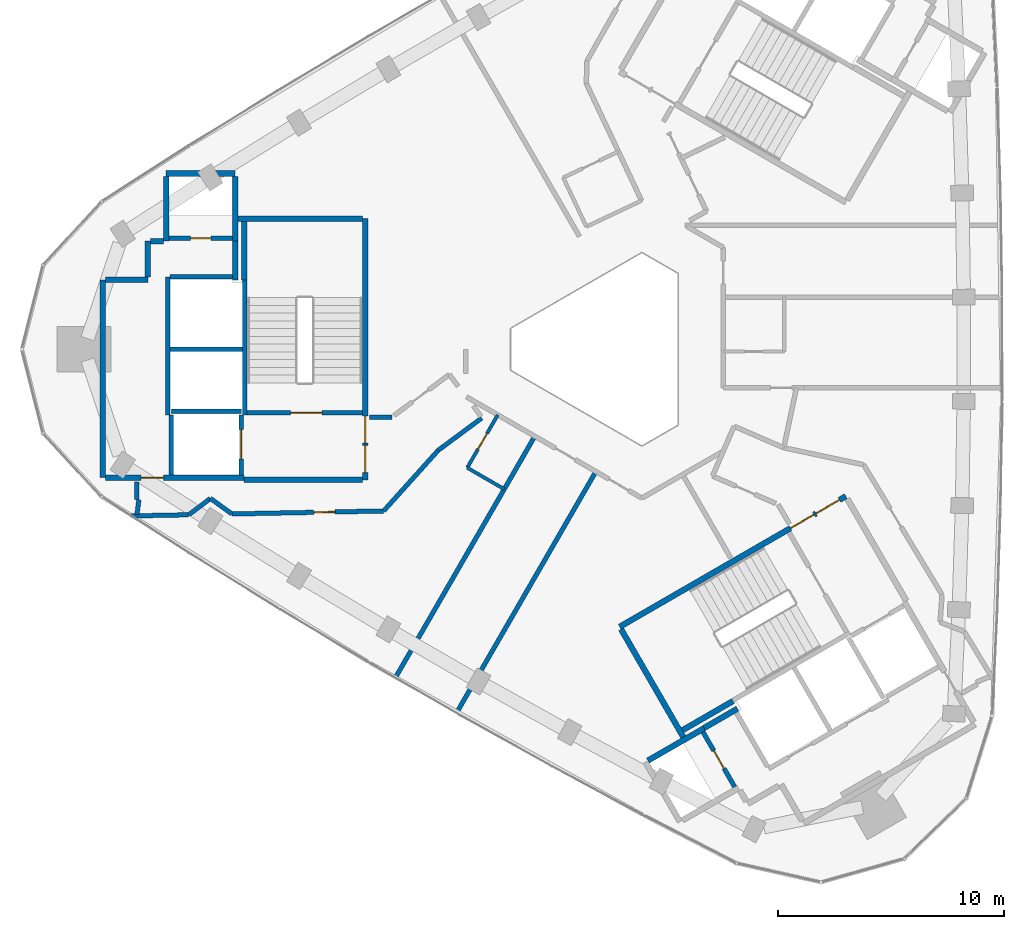
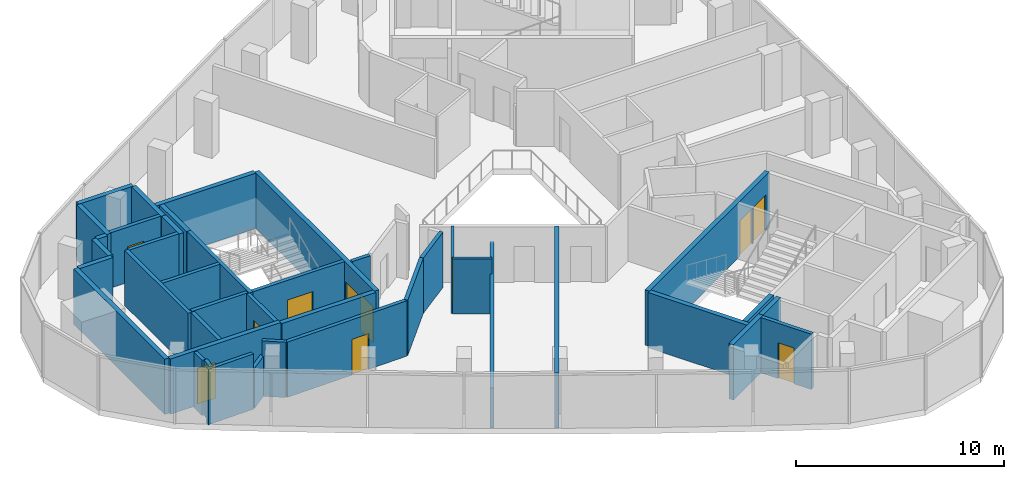
# One storey, part 6 of 10: 41 walls, 11 doors, 11 openings.
"""IFC4 building model written with IfcOpenShell, lengths in metres."""

import ifcopenshell
import ifcopenshell.guid

model = None  # the IFC model being written
_history = None  # IfcOwnerHistory: only IFC2X3 demands one
_inside = {}  # id of a spatial element -> (the spatial element, [elements in it])
_under = {}  # id of a project, library or spatial element -> (it, [spatial elements below it])
_declared = {}  # id of a project -> (the project, [libraries it declares])
_typed = {}  # id of a type object -> (the type object, [elements of that type])
_made_of = {}  # id of a material, layer set ... -> (it, [elements and type objects made of it])


def new_model(schema):
    """Start an empty IFC model of exactly this schema.

    Asked for "IFC4X3", IfcOpenShell would pick the latest addendum, in which some entities
    have other attributes; the version numbers below select the first issue.
    IFC2X3 requires an IfcOwnerHistory on every rooted entity: one is made here for all.
    """
    global model, _history
    if schema == "IFC4X3":
        model = ifcopenshell.file(schema_version=(4, 3, 0, 0))
    else:
        model = ifcopenshell.file(schema=schema)
    _inside.clear()
    _under.clear()
    _declared.clear()
    _typed.clear()
    _made_of.clear()
    _history = None
    if model.schema == "IFC2X3":
        org = make("IfcOrganization", Name="unknown")
        user = make(
            "IfcPersonAndOrganization",
            ThePerson=make("IfcPerson", FamilyName="unknown"),
            TheOrganization=org,
        )
        app = make(
            "IfcApplication",
            ApplicationDeveloper=org,
            Version="unknown",
            ApplicationFullName="unknown",
            ApplicationIdentifier="unknown",
        )
        _history = make(
            "IfcOwnerHistory",
            OwningUser=user,
            OwningApplication=app,
            ChangeAction="ADDED",
            CreationDate=0,
        )
    return model


def make(cls, **values):
    """One entity of the class cls with the attributes given. An attribute that is None is left unset."""
    return model.create_entity(
        cls, **{name: value for name, value in values.items() if value is not None}
    )


def rooted(cls, **values):
    """An entity with a GlobalId (a new one), such as an element, a storey or a relation."""
    return make(cls, GlobalId=ifcopenshell.guid.new(), OwnerHistory=_history, **values)


def si_unit(unit_type, name, prefix=None):
    """IfcSIUnit, for example si_unit("LENGTHUNIT", "METRE", prefix="MILLI")."""
    return make("IfcSIUnit", UnitType=unit_type, Prefix=prefix, Name=name)


def assignment(units):
    """IfcUnitAssignment: the units of a project."""
    return None if units is None else make("IfcUnitAssignment", Units=units)


def point(xyz):
    """IfcCartesianPoint."""
    return None if xyz is None else make("IfcCartesianPoint", Coordinates=xyz)


def direction(xyz):
    """IfcDirection."""
    return None if xyz is None else make("IfcDirection", DirectionRatios=xyz)


def frame(location, z_axis=None, x_axis=None):
    """IfcAxis2Placement3D, a coordinate frame: its origin and axes. An axis left out is left unset."""
    return make(
        "IfcAxis2Placement3D",
        Location=point(location),
        Axis=direction(z_axis),
        RefDirection=direction(x_axis),
    )


def frame_2d(location, x_axis=None):
    """IfcAxis2Placement2D, a coordinate frame in the plane: its origin and x axis."""
    return make(
        "IfcAxis2Placement2D", Location=point(location), RefDirection=direction(x_axis)
    )


def origin():
    """The frame at (0, 0, 0) with its axes left unset."""
    return frame((0.0, 0.0, 0.0))


def place(relative_to, where):
    """IfcLocalPlacement: puts the frame where relative to a parent placement (None: the world)."""
    return make(
        "IfcLocalPlacement", PlacementRelTo=relative_to, RelativePlacement=where
    )


def context(
    kind, dimensions, precision=None, world=None, true_north=None, identifier=None
):
    """IfcGeometricRepresentationContext, for example the 3D "Model" context."""
    return make(
        "IfcGeometricRepresentationContext",
        ContextIdentifier=identifier,
        ContextType=kind,
        CoordinateSpaceDimension=dimensions,
        Precision=precision,
        WorldCoordinateSystem=world,
        TrueNorth=true_north,
    )


def subcontext(parent, identifier, kind, view, scale=None):
    """IfcGeometricRepresentationSubContext, for example "Body" below "Model"."""
    return make(
        "IfcGeometricRepresentationSubContext",
        ContextIdentifier=identifier,
        ContextType=kind,
        ParentContext=parent,
        TargetScale=scale,
        TargetView=view,
    )


def project(units=None, contexts=None):
    """IfcProject with its units and contexts."""
    return rooted(
        "IfcProject",
        Name="project",
        RepresentationContexts=contexts,
        UnitsInContext=assignment(units),
    )


def spatial(cls, under=None, at=None, **own):
    """A site, building, storey or space (cls), placed at a placement, below another one or the project."""
    s = rooted(cls, ObjectPlacement=at, **own)
    if under is not None:
        _under.setdefault(under.id(), (under, []))[1].append(s)
    return s


def profile(cls, at=None, kind="AREA", **sizes):
    """A parametric profile (cls). Its sizes go by their IFC names, for example OverallWidth=200.0."""
    return make(cls, ProfileType=kind, Position=at, **sizes)


def rectangle(**sizes):
    """IfcRectangleProfileDef."""
    return profile("IfcRectangleProfileDef", **sizes)


def extrude(swept, where, along, depth):
    """IfcExtrudedAreaSolid: the profile swept, set in the frame where, extruded along a direction by depth."""
    return make(
        "IfcExtrudedAreaSolid",
        SweptArea=swept,
        Position=where,
        ExtrudedDirection=direction(along),
        Depth=depth,
    )


def shape(context_of_items, identifier, shape_type, items):
    """IfcShapeRepresentation: the items that make up one representation, for example the "Body"."""
    return make(
        "IfcShapeRepresentation",
        ContextOfItems=context_of_items,
        RepresentationIdentifier=identifier,
        RepresentationType=shape_type,
        Items=items,
    )


def material(Name=None, Category=None):
    """IfcMaterial."""
    return make("IfcMaterial", Name=Name, Category=Category)


def layer(
    of_material, thickness, ventilated=None, Name=None, Category=None, Priority=None
):
    """IfcMaterialLayer: one layer of a wall or slab, of a material (None: an air gap)."""
    return make(
        "IfcMaterialLayer",
        Material=of_material,
        LayerThickness=thickness,
        IsVentilated=ventilated,
        Name=Name,
        Category=Category,
        Priority=Priority,
    )


def layer_set(layers, Name=None):
    """IfcMaterialLayerSet."""
    return make("IfcMaterialLayerSet", MaterialLayers=layers, LayerSetName=Name)


def made_of(thing, what):
    """Note that an element or type object is made of a material, layer set ...; save() writes the relation."""
    if what is not None:
        _made_of.setdefault(what.id(), (what, []))[1].append(thing)
    return thing


def type_object(cls, material=None, **own):
    """A type object (cls), such as IfcWallType, which elements share."""
    return made_of(rooted(cls, **own), material)


def element(
    cls,
    number,
    at=None,
    inside=None,
    cuts=None,
    type_object=None,
    material=None,
    context=None,
    identifier="Body",
    shape_type=None,
    held_by="IfcProductDefinitionShape",
    body=None,
    shapes=None,
    **own,
):
    """One element of the class cls, such as IfcWall. Its Tag is "e" and its number.

    at: its placement. inside: the storey or other place that contains it. cuts: it is an
    opening in that element (IfcRelVoidsElement). A single representation is given by context,
    identifier, shape_type and body (its items); several are given by shapes. held_by: the class
    of the entity that holds the representations. save() writes the other relations.
    """
    e = rooted(cls, Tag="e%d" % number, ObjectPlacement=at, **own)
    if body is not None:
        shapes = [shape(context, identifier, shape_type, body)]
    if shapes is not None:
        e.Representation = make(held_by, Representations=shapes)
    if inside is not None:
        _inside.setdefault(inside.id(), (inside, []))[1].append(e)
    if cuts is not None:
        rooted(
            "IfcRelVoidsElement", RelatingBuildingElement=cuts, RelatedOpeningElement=e
        )
    if type_object is not None:
        _typed.setdefault(type_object.id(), (type_object, []))[1].append(e)
    return made_of(e, material)


def fill(opening, filler):
    """IfcRelFillsElement: the door or window that sits in an opening."""
    return rooted(
        "IfcRelFillsElement",
        RelatingOpeningElement=opening,
        RelatedBuildingElement=filler,
    )


def aggregate(whole, parts):
    """IfcRelAggregates: a whole, such as a stair, and the parts it consists of."""
    return rooted("IfcRelAggregates", RelatingObject=whole, RelatedObjects=parts)


def save(model, path):
    """Write the relations noted so far, then the file.

    IfcRelAggregates (storeys below a building ...), IfcRelContainedInSpatialStructure (elements
    in a storey), IfcRelDefinesByType, IfcRelAssociatesMaterial and IfcRelDeclares: one each for
    every whole, place, type object, material and project.
    """
    for whole, parts in _under.values():
        aggregate(whole, parts)
    for where, things in _inside.values():
        rooted(
            "IfcRelContainedInSpatialStructure",
            RelatedElements=things,
            RelatingStructure=where,
        )
    for kind, things in _typed.values():
        rooted("IfcRelDefinesByType", RelatedObjects=things, RelatingType=kind)
    for what, things in _made_of.values():
        rooted("IfcRelAssociatesMaterial", RelatedObjects=things, RelatingMaterial=what)
    for by, libraries in _declared.values():
        rooted("IfcRelDeclares", RelatingContext=by, RelatedDefinitions=libraries)
    model.write(path)


model = new_model("IFC4")

# Units and contexts
model_context = context("Model", 3, precision=1e-05, world=origin(), true_north=direction((0.0, 1.0)))
body_context = subcontext(model_context, "Body", "Model", "MODEL_VIEW")
ifc_project = project(units=[si_unit("LENGTHUNIT", "METRE"), si_unit("AREAUNIT", "SQUARE_METRE"), si_unit("VOLUMEUNIT", "CUBIC_METRE"), si_unit("PLANEANGLEUNIT", "RADIAN"), si_unit("MASSUNIT", "GRAM", prefix="KILO")], contexts=[model_context])

# Site, building, storey
site_placement = place(None, origin())
site = spatial("IfcSite", under=ifc_project, at=site_placement, CompositionType="ELEMENT")
building_placement = place(site_placement, origin())
building = spatial("IfcBuilding", under=site, at=building_placement, Name="Tamra Quay Hotel Tower", CompositionType="ELEMENT")
storey_placement = place(building_placement, frame((0.0, 0.0, 265.800048828125)))
storey = spatial("IfcBuildingStorey", under=building, at=storey_placement, Name="L67", CompositionType="ELEMENT", Elevation=265.800048828125)

# Walls
ifc_material_1 = material(Name="Concrete M70", Category="concrete")
ifc_layer_1 = layer(ifc_material_1, 0.199951171875)
ifc_layer_set_1 = layer_set([ifc_layer_1], Name="Concrete M70 core wall 200")
wall_type_1 = type_object("IfcWallType", Name="Concrete M70 core wall 200", PredefinedType="SHEAR", material=ifc_layer_set_1)
wall_1_placement = place(storey_placement, frame((-16.162109375, 3.073974609375, 0.0), z_axis=(0.0, 0.0, 1.0), x_axis=(0.0, -1.0, 0.0)))
element("IfcWall", 1, at=wall_1_placement, inside=storey, type_object=wall_type_1, Name="CW2", PredefinedType="SHEAR", context=body_context, shape_type="SweptSolid", body=[
    extrude(rectangle(XDim=5.97412109375, YDim=0.199951171875, at=frame_2d((2.987060546875, 0.0))), origin(), (0.0, 0.0, 1.0), 3.25),
])
wall_2_placement = place(storey_placement, frame((-19.5625, -2.900146484375, 0.0), z_axis=(0.0, 0.0, 1.0), x_axis=(0.0, 1.0, 0.0)))
element("IfcWall", 2, at=wall_2_placement, inside=storey, type_object=wall_type_1, Name="CW2", PredefinedType="SHEAR", context=body_context, shape_type="SweptSolid", body=[
    extrude(rectangle(XDim=6.100341796875, YDim=0.199951171875, at=frame_2d((3.05029296875, 0.0))), origin(), (0.0, 0.0, 1.0), 3.25),
])

# Wall, opening, door
wall_3_placement = place(storey_placement, frame((-10.96337890625, -2.800048828125, 0.0), z_axis=(0.0, 0.0, 1.0), x_axis=(-1.0, 0.0, 0.0)))
wall_3 = element("IfcWall", 3, at=wall_3_placement, inside=storey, type_object=wall_type_1, Name="CW2", PredefinedType="SHEAR", context=body_context, shape_type="SweptSolid", body=[
    extrude(rectangle(XDim=5.097900390625, YDim=0.199951171875, at=frame_2d((2.548828125, 0.0))), origin(), (0.0, 0.0, 1.0), 3.25),
])
opening_1_placement = place(wall_3_placement, frame((1.77392578125, 0.0, 0.0)))
opening_1 = element("IfcOpeningElement", 4, at=opening_1_placement, cuts=wall_3, Name="Opening FD2", PredefinedType="OPENING", context=body_context, shape_type="SweptSolid", body=[
    extrude(rectangle(XDim=1.39990234375, YDim=2.10009765625, at=frame_2d((0.699951171875, 1.050048828125))), frame((0.0, 0.10986328125, 0.0), z_axis=(0.0, -1.0, 0.0), x_axis=(1.0, 0.0, 0.0)), (0.0, 0.0, 1.0), 0.219970703125),
])
ifc_material_2 = material(Name="Core door FD2 1400x2100 RH")
door_type_1 = type_object("IfcDoorType", Name="Core door FD2 1400x2100 RH", OperationType="NOTDEFINED", PredefinedType="DOOR", material=ifc_material_2)
door_1_placement = place(opening_1_placement, origin())
door_1 = element("IfcDoor", 5, at=door_1_placement, inside=storey, type_object=door_type_1, Name="FD2", OperationType="SINGLE_SWING_RIGHT", OverallHeight=2.10009765625, OverallWidth=1.39990234375, PredefinedType="DOOR", context=body_context, shape_type="SweptSolid", body=[
    extrude(rectangle(XDim=1.39990234375, YDim=2.10009765625, at=frame_2d((0.699951171875, 1.050048828125))), frame((0.0, 0.02490234375, 0.0), z_axis=(0.0, -1.0, 0.0), x_axis=(1.0, 0.0, 0.0)), (0.0, 0.0, 1.0), 0.050048828125),
])
fill(opening_1, door_1)

# Wall
wall_4_placement = place(storey_placement, frame((-16.26318359375, 0.0, 0.0), z_axis=(0.0, 0.0, 1.0), x_axis=(-1.0, 0.0, 0.0)))
element("IfcWall", 6, at=wall_4_placement, inside=storey, type_object=wall_type_1, Name="CW2", PredefinedType="SHEAR", context=body_context, shape_type="SweptSolid", body=[
    extrude(rectangle(XDim=3.1982421875, YDim=0.199951171875, at=frame_2d((1.59912109375, 0.0))), origin(), (0.0, 0.0, 1.0), 3.25),
])

# Wall, opening, door
wall_5_placement = place(storey_placement, frame((-19.51123046875, 4.91015625, 0.0), z_axis=(0.0, 0.0, 1.0), x_axis=(1.0, 0.0, 0.0)))
wall_5 = element("IfcWall", 7, at=wall_5_placement, inside=storey, type_object=wall_type_1, Name="CW2", PredefinedType="SHEAR", context=body_context, shape_type="SweptSolid", body=[
    extrude(rectangle(XDim=2.7978515625, YDim=0.199951171875, at=frame_2d((1.39892578125, 0.0))), origin(), (0.0, 0.0, 1.0), 3.25),
])
opening_2_placement = place(wall_5_placement, frame((0.948974609375, 0.0, 0.0)))
opening_2 = element("IfcOpeningElement", 8, at=opening_2_placement, cuts=wall_5, Name="Opening D1", PredefinedType="OPENING", context=body_context, shape_type="SweptSolid", body=[
    extrude(rectangle(XDim=0.89990234375, YDim=2.10009765625, at=frame_2d((0.449951171875, 1.050048828125))), frame((0.0, 0.10986328125, 0.0), z_axis=(0.0, -1.0, 0.0), x_axis=(1.0, 0.0, 0.0)), (0.0, 0.0, 1.0), 0.219970703125),
])
ifc_material_3 = material(Name="Core door D1 900x2100 LH")
door_type_2 = type_object("IfcDoorType", Name="Core door D1 900x2100 LH", OperationType="NOTDEFINED", PredefinedType="DOOR", material=ifc_material_3)
door_2_placement = place(opening_2_placement, origin())
door_2 = element("IfcDoor", 9, at=door_2_placement, inside=storey, type_object=door_type_2, Name="D1", OperationType="SINGLE_SWING_LEFT", OverallHeight=2.10009765625, OverallWidth=0.89990234375, PredefinedType="DOOR", context=body_context, shape_type="SweptSolid", body=[
    extrude(rectangle(XDim=0.89990234375, YDim=2.10009765625, at=frame_2d((0.449951171875, 1.050048828125))), frame((0.0, 0.02490234375, 0.0), z_axis=(0.0, -1.0, 0.0), x_axis=(1.0, 0.0, 0.0)), (0.0, 0.0, 1.0), 0.050048828125),
])
fill(opening_2, door_2)

# Walls
wall_6_placement = place(storey_placement, frame((-19.46240234375, 3.2001953125, 0.0), z_axis=(0.0, 0.0, 1.0), x_axis=(1.0, 0.0, 0.0)))
element("IfcWall", 10, at=wall_6_placement, inside=storey, type_object=wall_type_1, Name="CW2", PredefinedType="SHEAR", context=body_context, shape_type="SweptSolid", body=[
    extrude(rectangle(XDim=2.759033203125, YDim=0.199951171875, at=frame_2d((1.37939453125, 0.0))), origin(), (0.0, 0.0, 1.0), 3.25),
])
wall_7_placement = place(storey_placement, frame((-19.412353515625, -2.75, 0.0), z_axis=(0.0, 0.0, 1.0), x_axis=(1.0, 0.0, 0.0)))
element("IfcWall", 11, at=wall_7_placement, inside=storey, type_object=wall_type_1, Name="CW2", PredefinedType="SHEAR", context=body_context, shape_type="SweptSolid", body=[
    extrude(rectangle(XDim=3.10009765625, YDim=0.199951171875, at=frame_2d((1.550048828125, 0.0))), origin(), (0.0, 0.0, 1.0), 3.25),
])

# Wall, opening, door
wall_8_placement = place(storey_placement, frame((-16.312255859375, -2.898193359375, 0.0), z_axis=(0.0, 0.0, 1.0), x_axis=(0.0, -1.0, 0.0)))
wall_8 = element("IfcWall", 12, at=wall_8_placement, inside=storey, type_object=wall_type_1, Name="CW2", PredefinedType="SHEAR", context=body_context, shape_type="SweptSolid", body=[
    extrude(rectangle(XDim=2.65087890625, YDim=0.199951171875, at=frame_2d((1.325439453125, 0.0))), origin(), (0.0, 0.0, 1.0), 3.25),
])
opening_3_placement = place(wall_8_placement, frame((0.65185546875, 0.0, 0.0)))
opening_3 = element("IfcOpeningElement", 13, at=opening_3_placement, cuts=wall_8, Name="Opening LD", PredefinedType="OPENING", context=body_context, shape_type="SweptSolid", body=[
    extrude(rectangle(XDim=1.300048828125, YDim=2.10009765625, at=frame_2d((0.64990234375, 1.050048828125))), frame((0.0, 0.10986328125, 0.0), z_axis=(0.0, -1.0, 0.0), x_axis=(1.0, 0.0, 0.0)), (0.0, 0.0, 1.0), 0.219970703125),
])
ifc_material_4 = material(Name="Landing door LD 1300 sliding to right")
door_type_3 = type_object("IfcDoorType", Name="Landing door LD 1300 sliding to right", OperationType="NOTDEFINED", PredefinedType="DOOR", material=ifc_material_4)
door_3_placement = place(opening_3_placement, origin())
door_3 = element("IfcDoor", 14, at=door_3_placement, inside=storey, type_object=door_type_3, Name="LD", OperationType="SLIDING_TO_RIGHT", OverallHeight=2.10009765625, OverallWidth=1.300048828125, PredefinedType="DOOR", context=body_context, shape_type="SweptSolid", body=[
    extrude(rectangle(XDim=1.300048828125, YDim=2.10009765625, at=frame_2d((0.64990234375, 1.050048828125))), frame((0.0, 0.02490234375, 0.0), z_axis=(0.0, -1.0, 0.0), x_axis=(1.0, 0.0, 0.0)), (0.0, 0.0, 1.0), 0.050048828125),
])
fill(opening_3, door_3)

# Wall
wall_9_placement = place(storey_placement, frame((-19.412353515625, -5.549072265625, 0.0), z_axis=(0.0, 0.0, 1.0), x_axis=(0.0, 1.0, 0.0)))
element("IfcWall", 15, at=wall_9_placement, inside=storey, type_object=wall_type_1, Name="CW2", PredefinedType="SHEAR", context=body_context, shape_type="SweptSolid", body=[
    extrude(rectangle(XDim=2.65087890625, YDim=0.199951171875, at=frame_2d((1.325439453125, 0.0))), origin(), (0.0, 0.0, 1.0), 3.25),
])

# Wall, opening, door
wall_10_placement = place(storey_placement, frame((5.50341796875, -19.352294921875, 0.0), z_axis=(0.0, 0.0, 1.0), x_axis=(-0.499986818241, 0.866033014143, 0.0)))
wall_10 = element("IfcWall", 16, at=wall_10_placement, inside=storey, type_object=wall_type_1, Name="CW2", PredefinedType="SHEAR", context=body_context, shape_type="SweptSolid", body=[
    extrude(rectangle(XDim=2.7978515625, YDim=0.199951171875, at=frame_2d((1.39892578125, 0.0))), origin(), (0.0, 0.0, 1.0), 3.25),
])
opening_4_placement = place(wall_10_placement, frame((0.948974609375, 0.0, 0.0)))
opening_4 = element("IfcOpeningElement", 17, at=opening_4_placement, cuts=wall_10, Name="Opening D1", PredefinedType="OPENING", context=body_context, shape_type="SweptSolid", body=[
    extrude(rectangle(XDim=0.89990234375, YDim=2.10009765625, at=frame_2d((0.449951171875, 1.050048828125))), frame((0.0, 0.10986328125, 0.0), z_axis=(0.0, -1.0, 0.0), x_axis=(1.0, 0.0, 0.0)), (0.0, 0.0, 1.0), 0.219970703125),
])
ifc_material_5 = material(Name="Core door D1 900x2100 RH")
door_type_4 = type_object("IfcDoorType", Name="Core door D1 900x2100 RH", OperationType="NOTDEFINED", PredefinedType="DOOR", material=ifc_material_5)
door_4_placement = place(opening_4_placement, origin())
door_4 = element("IfcDoor", 18, at=door_4_placement, inside=storey, type_object=door_type_4, Name="D1", OperationType="SINGLE_SWING_RIGHT", OverallHeight=2.10009765625, OverallWidth=0.89990234375, PredefinedType="DOOR", context=body_context, shape_type="SweptSolid", body=[
    extrude(rectangle(XDim=0.89990234375, YDim=2.10009765625, at=frame_2d((0.449951171875, 1.050048828125))), frame((0.0, 0.02490234375, 0.0), z_axis=(0.0, -1.0, 0.0), x_axis=(1.0, 0.0, 0.0)), (0.0, 0.0, 1.0), 0.050048828125),
])
fill(opening_4, door_4)

# Wall, openings, doors
ifc_layer_2 = layer(ifc_material_1, 0.25)
ifc_layer_set_2 = layer_set([ifc_layer_2], Name="Concrete M70 core wall 250")
wall_type_2 = type_object("IfcWallType", Name="Concrete M70 core wall 250", PredefinedType="SHEAR", material=ifc_layer_set_2)
wall_11_placement = place(storey_placement, frame((-10.83740234375, 5.77490234375, 0.0), z_axis=(0.0, 0.0, 1.0), x_axis=(0.0, -1.0, 0.0)))
wall_11 = element("IfcWall", 19, at=wall_11_placement, inside=storey, type_object=wall_type_2, Name="CW1", PredefinedType="SHEAR", context=body_context, shape_type="SweptSolid", body=[
    extrude(rectangle(XDim=11.5498046875, YDim=0.25, at=frame_2d((5.77490234375, 0.0))), origin(), (0.0, 0.0, 1.0), 3.25),
])
opening_5_placement = place(wall_11_placement, frame((10.02490234375, 0.0, 0.0)))
opening_5 = element("IfcOpeningElement", 20, at=opening_5_placement, cuts=wall_11, Name="Opening FD1", PredefinedType="OPENING", context=body_context, shape_type="SweptSolid", body=[
    extrude(rectangle(XDim=1.199951171875, YDim=2.10009765625, at=frame_2d((0.60009765625, 1.050048828125))), frame((0.0, 0.135009765625, 0.0), z_axis=(0.0, -1.0, 0.0), x_axis=(1.0, 0.0, 0.0)), (0.0, 0.0, 1.0), 0.27001953125),
])
opening_6_placement = place(wall_11_placement, frame((8.72509765625, 0.0, 0.0)))
opening_6 = element("IfcOpeningElement", 21, at=opening_6_placement, cuts=wall_11, Name="Opening FD1", PredefinedType="OPENING", context=body_context, shape_type="SweptSolid", body=[
    extrude(rectangle(XDim=1.199951171875, YDim=2.10009765625, at=frame_2d((0.60009765625, 1.050048828125))), frame((0.0, 0.135009765625, 0.0), z_axis=(0.0, -1.0, 0.0), x_axis=(1.0, 0.0, 0.0)), (0.0, 0.0, 1.0), 0.27001953125),
])
ifc_material_6 = material(Name="Core door FD1 1200x2100 LH")
door_type_5 = type_object("IfcDoorType", Name="Core door FD1 1200x2100 LH", OperationType="NOTDEFINED", PredefinedType="DOOR", material=ifc_material_6)
door_5_placement = place(opening_5_placement, origin())
door_5 = element("IfcDoor", 22, at=door_5_placement, inside=storey, type_object=door_type_5, Name="FD1", OperationType="SINGLE_SWING_LEFT", OverallHeight=2.10009765625, OverallWidth=1.199951171875, PredefinedType="DOOR", context=body_context, shape_type="SweptSolid", body=[
    extrude(rectangle(XDim=1.199951171875, YDim=2.10009765625, at=frame_2d((0.60009765625, 1.050048828125))), frame((0.0, 0.02490234375, 0.0), z_axis=(0.0, -1.0, 0.0), x_axis=(1.0, 0.0, 0.0)), (0.0, 0.0, 1.0), 0.050048828125),
])
fill(opening_5, door_5)
ifc_material_7 = material(Name="Core door FD1 1200x2100 RH")
door_type_6 = type_object("IfcDoorType", Name="Core door FD1 1200x2100 RH", OperationType="NOTDEFINED", PredefinedType="DOOR", material=ifc_material_7)
door_6_placement = place(opening_6_placement, origin())
door_6 = element("IfcDoor", 23, at=door_6_placement, inside=storey, type_object=door_type_6, Name="FD1", OperationType="SINGLE_SWING_RIGHT", OverallHeight=2.10009765625, OverallWidth=1.199951171875, PredefinedType="DOOR", context=body_context, shape_type="SweptSolid", body=[
    extrude(rectangle(XDim=1.199951171875, YDim=2.10009765625, at=frame_2d((0.60009765625, 1.050048828125))), frame((0.0, 0.02490234375, 0.0), z_axis=(0.0, -1.0, 0.0), x_axis=(1.0, 0.0, 0.0)), (0.0, 0.0, 1.0), 0.050048828125),
])
fill(opening_6, door_6)

# Wall
wall_12_placement = place(storey_placement, frame((-22.437255859375, -5.675048828125, 0.0), z_axis=(0.0, 0.0, 1.0), x_axis=(0.0, 1.0, 0.0)))
element("IfcWall", 24, at=wall_12_placement, inside=storey, type_object=wall_type_2, Name="CW1", PredefinedType="SHEAR", context=body_context, shape_type="SweptSolid", body=[
    extrude(rectangle(XDim=8.75, YDim=0.25, at=frame_2d((4.375, 0.0))), origin(), (0.0, 0.0, 1.0), 3.25),
])

# Wall, opening, door
wall_13_placement = place(storey_placement, frame((-16.187255859375, -5.675048828125, 0.0), z_axis=(0.0, 0.0, 1.0), x_axis=(-1.0, 0.0, 0.0)))
wall_13 = element("IfcWall", 25, at=wall_13_placement, inside=storey, type_object=wall_type_2, Name="CW1", PredefinedType="SHEAR", context=body_context, shape_type="SweptSolid", body=[
    extrude(rectangle(XDim=6.12451171875, YDim=0.25, at=frame_2d((3.062255859375, 0.0))), origin(), (0.0, 0.0, 1.0), 3.25),
])
opening_7_placement = place(wall_13_placement, frame((3.562744140625, 0.0, 0.0)))
opening_7 = element("IfcOpeningElement", 26, at=opening_7_placement, cuts=wall_13, Name="Opening FD3", PredefinedType="OPENING", context=body_context, shape_type="SweptSolid", body=[
    extrude(rectangle(XDim=1.0, YDim=2.10009765625, at=frame_2d((0.5, 1.050048828125))), frame((0.0, 0.135009765625, 0.0), z_axis=(0.0, -1.0, 0.0), x_axis=(1.0, 0.0, 0.0)), (0.0, 0.0, 1.0), 0.27001953125),
])
ifc_material_8 = material(Name="Core door FD3 1000x2100 LH")
door_type_7 = type_object("IfcDoorType", Name="Core door FD3 1000x2100 LH", OperationType="NOTDEFINED", PredefinedType="DOOR", material=ifc_material_8)
door_7_placement = place(opening_7_placement, origin())
door_7 = element("IfcDoor", 27, at=door_7_placement, inside=storey, type_object=door_type_7, Name="FD3", OperationType="SINGLE_SWING_LEFT", OverallHeight=2.10009765625, OverallWidth=1.0, PredefinedType="DOOR", context=body_context, shape_type="SweptSolid", body=[
    extrude(rectangle(XDim=1.0, YDim=2.10009765625, at=frame_2d((0.5, 1.050048828125))), frame((0.0, 0.02490234375, 0.0), z_axis=(0.0, -1.0, 0.0), x_axis=(1.0, 0.0, 0.0)), (0.0, 0.0, 1.0), 0.050048828125),
])
fill(opening_7, door_7)

# Walls
wall_14_placement = place(storey_placement, frame((-10.962646484375, -5.77490234375, 0.0), z_axis=(0.0, 0.0, 1.0), x_axis=(-1.0, 0.0, 0.0)))
element("IfcWall", 28, at=wall_14_placement, inside=storey, type_object=wall_type_2, Name="CW1", PredefinedType="SHEAR", context=body_context, shape_type="SweptSolid", body=[
    extrude(rectangle(XDim=5.224609375, YDim=0.25, at=frame_2d((2.6123046875, 0.0))), origin(), (0.0, 0.0, 1.0), 3.25),
])
wall_15_placement = place(storey_placement, frame((-16.47216796875, 5.77490234375, 0.0), z_axis=(0.0, 0.0, 1.0), x_axis=(1.0, 0.0, 0.0)))
element("IfcWall", 29, at=wall_15_placement, inside=storey, type_object=wall_type_2, Name="CW1", PredefinedType="SHEAR", context=body_context, shape_type="SweptSolid", body=[
    extrude(rectangle(XDim=5.509521484375, YDim=0.25, at=frame_2d((2.7548828125, 0.0))), origin(), (0.0, 0.0, 1.0), 3.25),
])
wall_16_placement = place(storey_placement, frame((-19.63720703125, 7.77490234375, 0.0), z_axis=(0.0, 0.0, 1.0), x_axis=(1.0, 0.0, 0.0)))
element("IfcWall", 30, at=wall_16_placement, inside=storey, type_object=wall_type_2, Name="CW1", PredefinedType="SHEAR", context=body_context, shape_type="SweptSolid", body=[
    extrude(rectangle(XDim=3.0498046875, YDim=0.25, at=frame_2d((1.52490234375, 0.0))), origin(), (0.0, 0.0, 1.0), 3.25),
])
for number, where, z_axis, x_axis, name in (
    (31, (-16.58740234375, 7.649658203125, 0.0), (0.0, 0.0, 1.0), (0.0, -1.0, 0.0), "CW1"),
    (32, (-19.63720703125, 4.784912109375, 0.0), (0.0, 0.0, 1.0), (0.0, 1.0, 0.0), "CW1"),
):
    element("IfcWall", number, at=place(storey_placement, frame(where, z_axis=z_axis, x_axis=x_axis)), inside=storey, type_object=wall_type_2, Name=name, PredefinedType="SHEAR", context=body_context, shape_type="SweptSolid", body=[
        extrude(rectangle(XDim=2.86474609375, YDim=0.25, at=frame_2d((1.432373046875, 0.0))), origin(), (0.0, 0.0, 1.0), 3.25),
    ])
wall_17_placement = place(storey_placement, frame((-16.187255859375, 3.074951171875, 0.0), z_axis=(0.0, 0.0, 1.0), x_axis=(0.0, 1.0, 0.0)))
element("IfcWall", 33, at=wall_17_placement, inside=storey, type_object=wall_type_2, Name="CW1", PredefinedType="SHEAR", context=body_context, shape_type="SweptSolid", body=[
    extrude(rectangle(XDim=2.57470703125, YDim=0.25, at=frame_2d((1.287353515625, 0.0))), origin(), (0.0, 0.0, 1.0), 3.25),
])
wall_18_placement = place(storey_placement, frame((-22.311767578125, 3.074951171875, 0.0), z_axis=(0.0, 0.0, 1.0), x_axis=(1.0, 0.0, 0.0)))
element("IfcWall", 34, at=wall_18_placement, inside=storey, type_object=wall_type_2, Name="CW1", PredefinedType="SHEAR", context=body_context, shape_type="SweptSolid", body=[
    extrude(rectangle(XDim=1.864501953125, YDim=0.25, at=frame_2d((0.93212890625, 0.0))), origin(), (0.0, 0.0, 1.0), 3.25),
])
wall_19_placement = place(storey_placement, frame((-16.577392578125, 4.784912109375, 0.0), z_axis=(0.0, 0.0, 1.0), x_axis=(0.0, -1.0, 0.0)))
element("IfcWall", 35, at=wall_19_placement, inside=storey, type_object=wall_type_2, Name="CW1", PredefinedType="SHEAR", context=body_context, shape_type="SweptSolid", body=[
    extrude(rectangle(XDim=1.7099609375, YDim=0.25, at=frame_2d((0.85498046875, 0.0))), origin(), (0.0, 0.0, 1.0), 3.25),
])
wall_20_placement = place(storey_placement, frame((-20.447265625, 3.200439453125, 0.0), z_axis=(0.0, 0.0, 1.0), x_axis=(0.0, 1.0, 0.0)))
element("IfcWall", 36, at=wall_20_placement, inside=storey, type_object=wall_type_2, Name="CW1", PredefinedType="SHEAR", context=body_context, shape_type="SweptSolid", body=[
    extrude(rectangle(XDim=1.58447265625, YDim=0.25, at=frame_2d((0.792236328125, 0.0))), origin(), (0.0, 0.0, 1.0), 3.25),
])
wall_21_placement = place(storey_placement, frame((-20.32177734375, 4.784912109375, 0.0), z_axis=(0.0, 0.0, 1.0), x_axis=(1.0, 0.0, 0.0)))
element("IfcWall", 37, at=wall_21_placement, inside=storey, type_object=wall_type_2, Name="CW1", PredefinedType="SHEAR", context=body_context, shape_type="SweptSolid", body=[
    extrude(rectangle(XDim=0.55908203125, YDim=0.25, at=frame_2d((0.279541015625, 0.0))), origin(), (0.0, 0.0, 1.0), 3.25),
])

# Wall, openings, doors
wall_22_placement = place(storey_placement, frame((0.417236328125, -12.27294921875, 0.0), z_axis=(0.0, 0.0, 1.0), x_axis=(0.866021906294, 0.500006057782, 0.0)))
wall_22 = element("IfcWall", 38, at=wall_22_placement, inside=storey, type_object=wall_type_2, Name="CW1", PredefinedType="SHEAR", context=body_context, shape_type="SweptSolid", body=[
    extrude(rectangle(XDim=11.550048828125, YDim=0.25, at=frame_2d((5.77490234375, 0.0))), origin(), (0.0, 0.0, 1.0), 3.25),
])
opening_8_placement = place(wall_22_placement, frame((10.024658203125, 0.0, 0.0)))
opening_8 = element("IfcOpeningElement", 39, at=opening_8_placement, cuts=wall_22, Name="Opening FD1", PredefinedType="OPENING", context=body_context, shape_type="SweptSolid", body=[
    extrude(rectangle(XDim=1.199951171875, YDim=2.10009765625, at=frame_2d((0.60009765625, 1.050048828125))), frame((0.0, 0.135009765625, 0.0), z_axis=(0.0, -1.0, 0.0), x_axis=(1.0, 0.0, 0.0)), (0.0, 0.0, 1.0), 0.27001953125),
])
opening_9_placement = place(wall_22_placement, frame((8.724609375, 0.0, 0.0)))
opening_9 = element("IfcOpeningElement", 40, at=opening_9_placement, cuts=wall_22, Name="Opening FD1", PredefinedType="OPENING", context=body_context, shape_type="SweptSolid", body=[
    extrude(rectangle(XDim=1.199951171875, YDim=2.10009765625, at=frame_2d((0.60009765625, 1.050048828125))), frame((0.0, 0.135009765625, 0.0), z_axis=(0.0, -1.0, 0.0), x_axis=(1.0, 0.0, 0.0)), (0.0, 0.0, 1.0), 0.27001953125),
])
door_8_placement = place(opening_8_placement, origin())
door_8 = element("IfcDoor", 41, at=door_8_placement, inside=storey, type_object=door_type_5, Name="FD1", OperationType="SINGLE_SWING_LEFT", OverallHeight=2.10009765625, OverallWidth=1.199951171875, PredefinedType="DOOR", context=body_context, shape_type="SweptSolid", body=[
    extrude(rectangle(XDim=1.199951171875, YDim=2.10009765625, at=frame_2d((0.60009765625, 1.050048828125))), frame((0.0, 0.02490234375, 0.0), z_axis=(0.0, -1.0, 0.0), x_axis=(1.0, 0.0, 0.0)), (0.0, 0.0, 1.0), 0.050048828125),
])
fill(opening_8, door_8)
door_9_placement = place(opening_9_placement, origin())
door_9 = element("IfcDoor", 42, at=door_9_placement, inside=storey, type_object=door_type_6, Name="FD1", OperationType="SINGLE_SWING_RIGHT", OverallHeight=2.10009765625, OverallWidth=1.199951171875, PredefinedType="DOOR", context=body_context, shape_type="SweptSolid", body=[
    extrude(rectangle(XDim=1.199951171875, YDim=2.10009765625, at=frame_2d((0.60009765625, 1.050048828125))), frame((0.0, 0.02490234375, 0.0), z_axis=(0.0, -1.0, 0.0), x_axis=(1.0, 0.0, 0.0)), (0.0, 0.0, 1.0), 0.050048828125),
])
fill(opening_9, door_9)

# Walls
wall_23_placement = place(storey_placement, frame((3.23486328125, -17.15283203125, 0.0), z_axis=(0.0, 0.0, 1.0), x_axis=(-0.500008851346, 0.866020293397, 0.0)))
element("IfcWall", 43, at=wall_23_placement, inside=storey, type_object=wall_type_2, Name="CW1", PredefinedType="SHEAR", context=body_context, shape_type="SweptSolid", body=[
    extrude(rectangle(XDim=5.509765625, YDim=0.25, at=frame_2d((2.7548828125, 0.0))), origin(), (0.0, 0.0, 1.0), 3.25),
])
wall_24_placement = place(storey_placement, frame((1.6689453125, -18.189697265625, 0.0), z_axis=(0.0, 0.0, 1.0), x_axis=(0.866042235819, 0.499970844928, 0.0)))
element("IfcWall", 44, at=wall_24_placement, inside=storey, type_object=wall_type_2, Name="CW1", PredefinedType="SHEAR", context=body_context, shape_type="SweptSolid", body=[
    extrude(rectangle(XDim=2.864501953125, YDim=0.25, at=frame_2d((1.43212890625, 0.0))), origin(), (0.0, 0.0, 1.0), 3.25),
])
wall_25_placement = place(storey_placement, frame((5.4306640625, -15.55615234375, 0.0), z_axis=(0.0, 0.0, 1.0), x_axis=(-0.866022940537, -0.500004266446, 0.0)))
element("IfcWall", 45, at=wall_25_placement, inside=storey, type_object=wall_type_2, Name="CW1", PredefinedType="SHEAR", context=body_context, shape_type="SweptSolid", body=[
    extrude(rectangle(XDim=2.57470703125, YDim=0.25, at=frame_2d((1.287353515625, 0.0))), origin(), (0.0, 0.0, 1.0), 3.25),
])
wall_26_placement = place(storey_placement, frame((4.144775390625, -16.748779296875, 0.0), z_axis=(0.0, 0.0, 1.0), x_axis=(0.866038183914, 0.499977863513, 0.0)))
element("IfcWall", 46, at=wall_26_placement, inside=storey, type_object=wall_type_2, Name="CW1", PredefinedType="SHEAR", context=body_context, shape_type="SweptSolid", body=[
    extrude(rectangle(XDim=1.7099609375, YDim=0.25, at=frame_2d((0.85498046875, 0.0))), origin(), (0.0, 0.0, 1.0), 3.25),
])
ifc_material_9 = material(Name="Partition corridor wall")
ifc_layer_3 = layer(ifc_material_9, 0.199951171875)
ifc_layer_set_3 = layer_set([ifc_layer_3], Name="Partition corridor wall")
wall_type_3 = type_object("IfcWallType", Name="Partition corridor wall", PredefinedType="PARTITIONING", material=ifc_layer_set_3)
wall_27_placement = place(storey_placement, frame((-20.949951171875, -6.64990234375, 0.0), z_axis=(0.0, 0.0, 1.0), x_axis=(0.0, 1.0, 0.0)))
element("IfcWall", 47, at=wall_27_placement, inside=storey, type_object=wall_type_3, Name="W-C", PredefinedType="PARTITIONING", context=body_context, shape_type="SweptSolid", body=[
    extrude(rectangle(XDim=0.789794921875, YDim=0.199951171875, at=frame_2d((0.39501953125, 0.0))), origin(), (0.0, 0.0, 1.0), 3.25),
])
wall_28_placement = place(storey_placement, frame((-20.928955078125, -7.305908203125, 0.0), z_axis=(0.0, 0.0, 1.0), x_axis=(0.125534186853, 0.992089294334, 0.0)))
element("IfcWall", 48, at=wall_28_placement, inside=storey, type_object=wall_type_3, Name="W-C", PredefinedType="PARTITIONING", context=body_context, shape_type="SweptSolid", body=[
    extrude(rectangle(XDim=0.6611328125, YDim=0.199951171875, at=frame_2d((0.33056640625, 0.0))), origin(), (0.0, 0.0, 1.0), 3.25),
])
wall_29_placement = place(storey_placement, frame((-21.177001953125, -7.368896484375, 0.0), z_axis=(0.0, 0.0, 1.0), x_axis=(0.999808930271, 0.019547453804, 0.0)))
element("IfcWall", 49, at=wall_29_placement, inside=storey, type_object=wall_type_3, Name="W-C", PredefinedType="PARTITIONING", context=body_context, shape_type="SweptSolid", body=[
    extrude(rectangle(XDim=2.535400390625, YDim=0.199951171875, at=frame_2d((1.267578125, 0.0))), origin(), (0.0, 0.0, 1.0), 3.25),
])
wall_30_placement = place(storey_placement, frame((-18.64208984375, -7.319091796875, 0.0), z_axis=(0.0, 0.0, 1.0), x_axis=(0.798707882989, 0.601718968998, 0.0)))
element("IfcWall", 50, at=wall_30_placement, inside=storey, type_object=wall_type_3, Name="W-C", PredefinedType="PARTITIONING", context=body_context, shape_type="SweptSolid", body=[
    extrude(rectangle(XDim=1.203369140625, YDim=0.199951171875, at=frame_2d((0.6015625, 0.0))), origin(), (0.0, 0.0, 1.0), 2.349853515625),
])
wall_31_placement = place(storey_placement, frame((-17.680908203125, -6.594970703125, 0.0), z_axis=(0.0, 0.0, 1.0), x_axis=(0.810123213102, -0.586259652026, 0.0)))
element("IfcWall", 51, at=wall_31_placement, inside=storey, type_object=wall_type_3, Name="W-C", PredefinedType="PARTITIONING", context=body_context, shape_type="SweptSolid", body=[
    extrude(rectangle(XDim=1.170166015625, YDim=0.199951171875, at=frame_2d((0.5849609375, 0.0))), origin(), (0.0, 0.0, 1.0), 3.25),
])

# Wall, opening, door
wall_32_placement = place(storey_placement, frame((-16.73193359375, -7.281982421875, 0.0), z_axis=(0.0, 0.0, 1.0), x_axis=(0.999809119854, 0.019537754635, 0.0)))
wall_32 = element("IfcWall", 52, at=wall_32_placement, inside=storey, type_object=wall_type_3, Name="W-C", PredefinedType="PARTITIONING", context=body_context, shape_type="SweptSolid", body=[
    extrude(rectangle(XDim=6.710205078125, YDim=0.199951171875, at=frame_2d((3.35498046875, 0.0))), origin(), (0.0, 0.0, 1.0), 3.25),
])
opening_10_placement = place(wall_32_placement, frame((3.619384765625, 0.0, 0.0)))
opening_10 = element("IfcOpeningElement", 53, at=opening_10_placement, cuts=wall_32, Name="Opening L67-D011", PredefinedType="OPENING", context=body_context, shape_type="SweptSolid", body=[
    extrude(rectangle(XDim=0.949951171875, YDim=2.10009765625, at=frame_2d((0.47509765625, 1.050048828125))), frame((0.0, 0.10986328125, 0.0), z_axis=(0.0, -1.0, 0.0), x_axis=(1.0, 0.0, 0.0)), (0.0, 0.0, 1.0), 0.219970703125),
])
ifc_material_10 = material(Name="Door guest room 950x2100")
door_type_8 = type_object("IfcDoorType", Name="Door guest room 950x2100", OperationType="NOTDEFINED", PredefinedType="DOOR", material=ifc_material_10)
door_10_placement = place(opening_10_placement, frame((0.949951171875, 0.0, 0.0), z_axis=(0.0, 0.0, 1.0), x_axis=(-1.0, 0.0, 0.0)))
door_10 = element("IfcDoor", 54, at=door_10_placement, inside=storey, type_object=door_type_8, Name="L67-D011", OperationType="SINGLE_SWING_LEFT", OverallHeight=2.10009765625, OverallWidth=0.949951171875, PredefinedType="DOOR", context=body_context, shape_type="SweptSolid", body=[
    extrude(rectangle(XDim=0.949951171875, YDim=2.10009765625, at=frame_2d((0.47509765625, 1.050048828125))), frame((0.0, 0.02490234375, 0.0), z_axis=(0.0, -1.0, 0.0), x_axis=(1.0, 0.0, 0.0)), (0.0, 0.0, 1.0), 0.050048828125),
])
fill(opening_10, door_10)

# Walls
wall_33_placement = place(storey_placement, frame((-10.65234375, -3.0, 0.0), z_axis=(0.0, 0.0, 1.0), x_axis=(1.0, 0.0, 0.0)))
element("IfcWall", 55, at=wall_33_placement, inside=storey, type_object=wall_type_3, Name="W-C", PredefinedType="PARTITIONING", context=body_context, shape_type="SweptSolid", body=[
    extrude(rectangle(XDim=0.994384765625, YDim=0.199951171875, at=frame_2d((0.4970703125, 0.0))), origin(), (0.0, 0.0, 1.0), 3.25),
])
wall_34_placement = place(storey_placement, frame((-10.02294921875, -7.15087890625, 0.0), z_axis=(0.0, 0.0, 1.0), x_axis=(0.668886243279, 0.743364778256, 0.0)))
element("IfcWall", 56, at=wall_34_placement, inside=storey, type_object=wall_type_3, Name="W-C", PredefinedType="PARTITIONING", context=body_context, shape_type="SweptSolid", body=[
    extrude(rectangle(XDim=3.609130859375, YDim=0.199951171875, at=frame_2d((1.8046875, 0.0))), origin(), (0.0, 0.0, 1.0), 3.25),
])
wall_35_placement = place(storey_placement, frame((-7.60888671875, -4.468017578125, 0.0), z_axis=(0.0, 0.0, 1.0), x_axis=(0.803414413351, 0.595420255298, 0.0)))
element("IfcWall", 57, at=wall_35_placement, inside=storey, type_object=wall_type_3, Name="W-C", PredefinedType="PARTITIONING", context=body_context, shape_type="SweptSolid", body=[
    extrude(rectangle(XDim=2.393310546875, YDim=0.199951171875, at=frame_2d((1.19677734375, 0.0))), origin(), (0.0, 0.0, 1.0), 3.25),
])

# Wall, opening, door
ifc_material_11 = material(Name="Partition en-suite wall")
ifc_layer_4 = layer(ifc_material_11, 0.14990234375)
ifc_layer_set_4 = layer_set([ifc_layer_4], Name="Partition en-suite wall")
wall_type_4 = type_object("IfcWallType", Name="Partition en-suite wall", PredefinedType="PARTITIONING", material=ifc_layer_set_4)
wall_36_placement = place(storey_placement, frame((-6.323974609375, -5.237060546875, 0.0), z_axis=(0.0, 0.0, 1.0), x_axis=(0.500294180644, 0.865855491877, 0.0)))
wall_36 = element("IfcWall", 58, at=wall_36_placement, inside=storey, type_object=wall_type_4, Name="W-E", PredefinedType="PARTITIONING", context=body_context, shape_type="SweptSolid", body=[
    extrude(rectangle(XDim=2.697998046875, YDim=0.14990234375, at=frame_2d((1.34912109375, 0.0))), origin(), (0.0, 0.0, 1.0), 3.25),
])
opening_11_placement = place(wall_36_placement, frame((0.947509765625, 0.0, 0.0)))
opening_11 = element("IfcOpeningElement", 59, at=opening_11_placement, cuts=wall_36, Name="Opening L67-D012", PredefinedType="OPENING", context=body_context, shape_type="SweptSolid", body=[
    extrude(rectangle(XDim=0.800048828125, YDim=2.10009765625, at=frame_2d((0.39990234375, 1.050048828125))), frame((0.0, 0.0849609375, 0.0), z_axis=(0.0, -1.0, 0.0), x_axis=(1.0, 0.0, 0.0)), (0.0, 0.0, 1.0), 0.169921875),
])
ifc_material_12 = material(Name="Door en-suite 800x2100")
door_type_9 = type_object("IfcDoorType", Name="Door en-suite 800x2100", OperationType="NOTDEFINED", PredefinedType="DOOR", material=ifc_material_12)
door_11_placement = place(opening_11_placement, origin())
door_11 = element("IfcDoor", 60, at=door_11_placement, inside=storey, type_object=door_type_9, Name="L67-D012", OperationType="SINGLE_SWING_LEFT", OverallHeight=2.10009765625, OverallWidth=0.800048828125, PredefinedType="DOOR", context=body_context, shape_type="SweptSolid", body=[
    extrude(rectangle(XDim=0.800048828125, YDim=2.10009765625, at=frame_2d((0.39990234375, 1.050048828125))), frame((0.0, 0.02490234375, 0.0), z_axis=(0.0, -1.0, 0.0), x_axis=(1.0, 0.0, 0.0)), (0.0, 0.0, 1.0), 0.050048828125),
])
fill(opening_11, door_11)

# Walls
wall_37_placement = place(storey_placement, frame((-6.322998046875, -5.239990234375, 0.0), z_axis=(0.0, 0.0, 1.0), x_axis=(0.865998231832, -0.50004706025, 0.0)))
element("IfcWall", 61, at=wall_37_placement, inside=storey, type_object=wall_type_4, Name="W-E", PredefinedType="PARTITIONING", context=body_context, shape_type="SweptSolid", body=[
    extrude(rectangle(XDim=1.887939453125, YDim=0.14990234375, at=frame_2d((0.94384765625, 0.0))), origin(), (0.0, 0.0, 1.0), 3.25),
])
ifc_material_13 = material(Name="Partition party wall")
ifc_layer_5 = layer(ifc_material_13, 0.199951171875)
ifc_layer_set_5 = layer_set([ifc_layer_5], Name="Partition party wall")
wall_type_5 = type_object("IfcWallType", Name="Partition party wall", PredefinedType="PARTITIONING", material=ifc_layer_set_5)
wall_38_placement = place(storey_placement, frame((-9.501220703125, -14.5244140625, 0.0), z_axis=(0.0, 0.0, 1.0), x_axis=(0.499964147476, 0.86604610226, 0.0)))
element("IfcWall", 62, at=wall_38_placement, inside=storey, type_object=wall_type_5, Name="W-P", PredefinedType="PARTITIONING", context=body_context, shape_type="SweptSolid", body=[
    extrude(rectangle(XDim=12.3291015625, YDim=0.199951171875, at=frame_2d((6.16455078125, 0.0))), origin(), (0.0, 0.0, 1.0), 2.349853515625),
])
wall_39_placement = place(storey_placement, frame((-6.799560546875, -16.084228515625, 0.0), z_axis=(0.0, 0.0, 1.0), x_axis=(0.500002425662, 0.866024003323, 0.0)))
element("IfcWall", 63, at=wall_39_placement, inside=storey, type_object=wall_type_5, Name="W-P", PredefinedType="PARTITIONING", context=body_context, shape_type="SweptSolid", body=[
    extrude(rectangle(XDim=12.3291015625, YDim=0.199951171875, at=frame_2d((6.16455078125, 0.0))), origin(), (0.0, 0.0, 1.0), 3.25),
])

save(model, "model.ifc")
